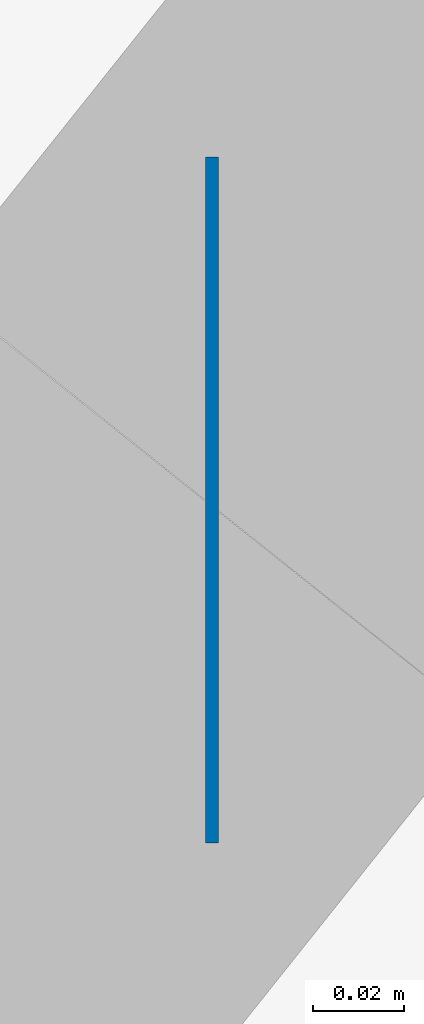
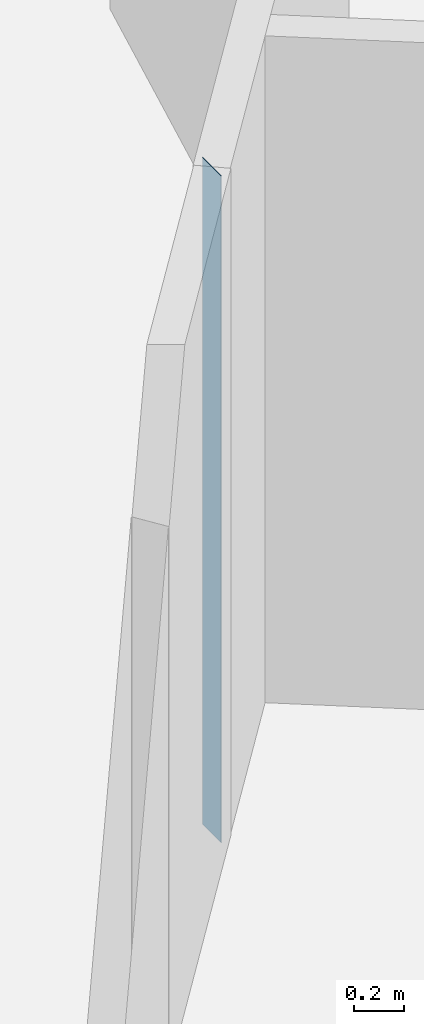
# One storey, part 5 of 13: 1 wall.
"""IFC4 building model written with IfcOpenShell, lengths in metres."""

from ifc_helpers import new_model, si_unit, direction, frame, frame_2d, origin, place, context, subcontext, project, spatial, rectangle, extrude, material, layer, layer_set, type_object, element, save


model = new_model("IFC4")

# Units and contexts
model_context = context("Model", 3, precision=1e-05, world=origin(), true_north=direction((0.0, 1.0)))
body_context = subcontext(model_context, "Body", "Model", "MODEL_VIEW")
ifc_project = project(units=[si_unit("LENGTHUNIT", "METRE"), si_unit("AREAUNIT", "SQUARE_METRE"), si_unit("VOLUMEUNIT", "CUBIC_METRE"), si_unit("PLANEANGLEUNIT", "RADIAN"), si_unit("MASSUNIT", "GRAM", prefix="KILO")], contexts=[model_context])

# Site, building, storey
site_placement = place(None, origin())
site = spatial("IfcSite", under=ifc_project, at=site_placement, CompositionType="ELEMENT")
building_placement = place(site_placement, origin())
building = spatial("IfcBuilding", under=site, at=building_placement, Name="Tracery Tower", CompositionType="ELEMENT")
storey_placement = place(building_placement, frame((0.0, 0.0, 294.60009765625)))
storey = spatial("IfcBuildingStorey", under=building, at=storey_placement, Name="L76", CompositionType="ELEMENT", Elevation=294.60009765625)

# Wall
ifc_material = material(Name="Plasterboard on steel studs", Category="steel")
ifc_layer = layer(ifc_material, 0.14990234375)
ifc_layer_set = layer_set([ifc_layer], Name="Partition 150 corridor wall")
wall_type = type_object("IfcWallType", Name="Partition 150 corridor wall", PredefinedType="PARTITIONING", material=ifc_layer_set)
wall_placement = place(storey_placement, frame((11.136962890625, -8.800048828125, 0.0), z_axis=(0.0, 0.0, 1.0), x_axis=(-1.0, 0.0, 0.0)))
element("IfcWall", 1, at=wall_placement, inside=storey, type_object=wall_type, Name="Corridor wall RC7-018", PredefinedType="PARTITIONING", context=body_context, shape_type="SweptSolid", body=[
    extrude(rectangle(XDim=0.0029296875, YDim=0.14990234375, at=frame_2d((0.00146484375, 0.0))), origin(), (0.0, 0.0, 1.0), 3.25),
])

save(model, "model.ifc")
